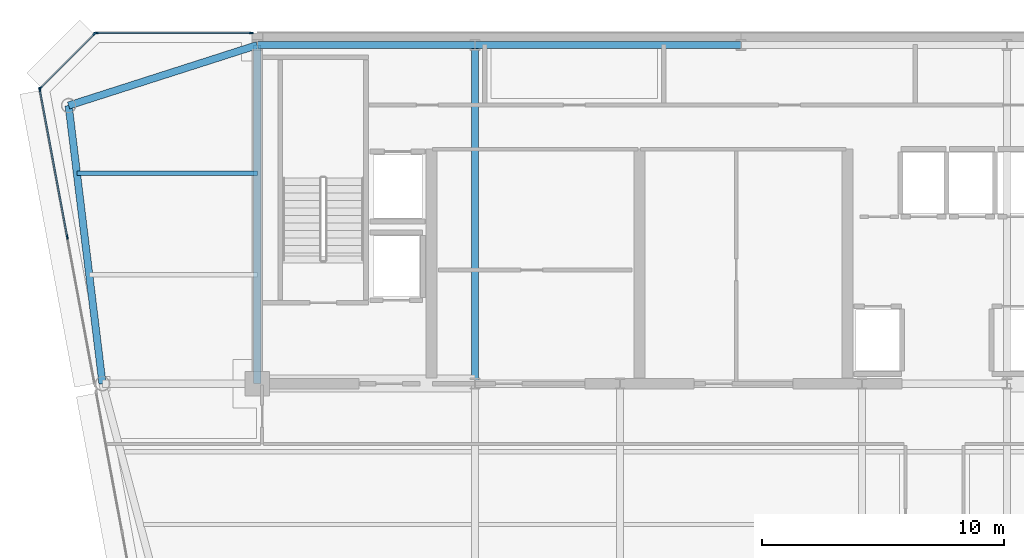
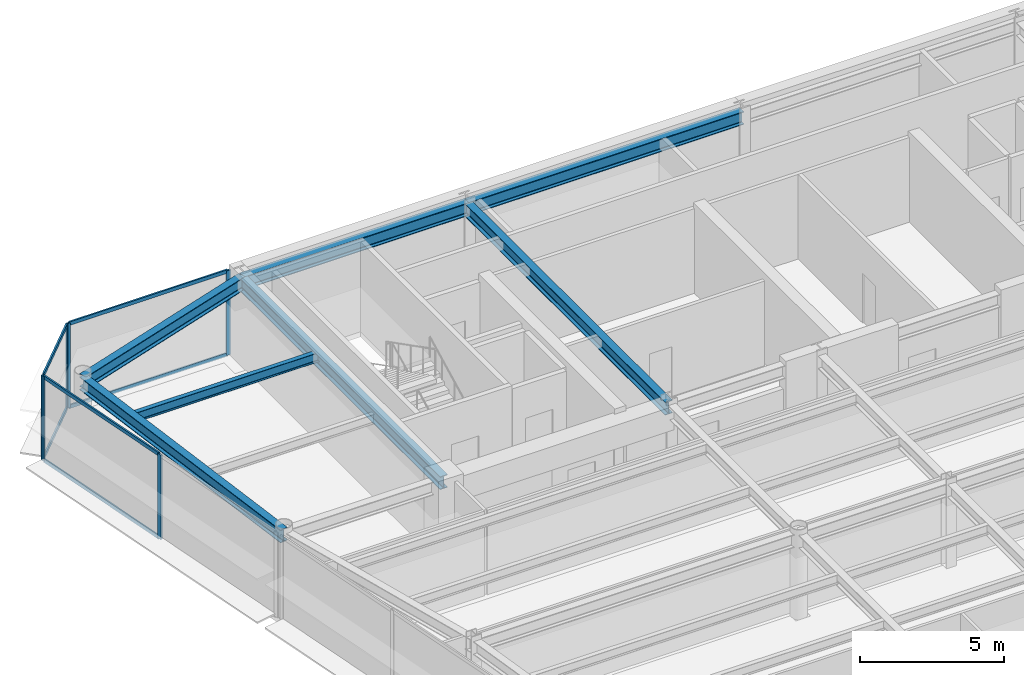
# One storey, part 7 of 18: 12 members, 7 beams, 3 elements without a shape of their own.
"""IFC4 building model written with IfcOpenShell, lengths in metres."""

from ifc_helpers import new_model, si_unit, direction, frame, origin, origin_2d, place, context, subcontext, project, spatial, rectangle, i_section, extrude, source, transform, mapped, material, layer, layer_set, material_profile, profile_set, type_object, element, aggregate, save


model = new_model("IFC4")

# Units and contexts
model_context = context("Model", 3, precision=1e-05, world=origin(), true_north=direction((0.0, 1.0)))
body_context = subcontext(model_context, "Body", "Model", "MODEL_VIEW")
ifc_project = project(units=[si_unit("LENGTHUNIT", "METRE"), si_unit("AREAUNIT", "SQUARE_METRE"), si_unit("VOLUMEUNIT", "CUBIC_METRE"), si_unit("PLANEANGLEUNIT", "RADIAN"), si_unit("MASSUNIT", "GRAM", prefix="KILO")], contexts=[model_context])

# Site, building, storey
site_placement = place(None, origin())
site = spatial("IfcSite", under=ifc_project, at=site_placement, CompositionType="ELEMENT")
building_placement = place(site_placement, origin())
building = spatial("IfcBuilding", under=site, at=building_placement, Name="Vaeldorn Concourse Tower", CompositionType="ELEMENT")
storey_placement = place(building_placement, frame((0.0, 0.0, 253.60009765625)))
storey = spatial("IfcBuildingStorey", under=building, at=storey_placement, Name="L65", CompositionType="ELEMENT", Elevation=253.60009765625)

# Beams
ifc_material_1 = material(Name="Steel S355", Category="steel")
ifc_material_profile_1 = material_profile(ifc_material_1, i_section(OverallWidth=0.179931640625, OverallDepth=0.39990234375, WebThickness=0.008544921875, FlangeThickness=0.013427734375, FilletRadius=0.02099609375, at=origin_2d()), Name="IPE 400")
ifc_profile_set_1 = profile_set([ifc_material_profile_1], Name="Steel S355")
beam_type_1 = type_object("IfcBeamType", Name="BM-JS-IPE400", PredefinedType="JOIST", material=ifc_profile_set_1)
shared_shape_1 = source(origin(), body_context, "Body", "SweptSolid", [
    extrude(i_section(OverallWidth=0.179931640625, OverallDepth=0.39990234375, WebThickness=0.008544921875, FlangeThickness=0.013427734375, FilletRadius=0.02099609375, at=origin_2d()), origin(), (0.0, 0.0, 1.0), 7.458984375),
])
beam_1_placement = place(storey_placement, frame((6.541015625, 45.199951171875, 3.3798828125), z_axis=(1.0, 0.0, 0.0), x_axis=(0.0, 1.0, 0.0)))
element("IfcBeam", 1, at=beam_1_placement, inside=storey, type_object=beam_type_1, Name="Beam JS-L65-NW-452", PredefinedType="JOIST", context=body_context, shape_type="MappedRepresentation", body=[
    mapped(shared_shape_1, transform((0.0, 0.0, 0.0), scale=1.0)),
])
ifc_material_profile_2 = material_profile(ifc_material_1, i_section(OverallWidth=0.300048828125, OverallDepth=0.550048828125, WebThickness=0.014892578125, FlangeThickness=0.029052734375, FilletRadius=0.027099609375, at=origin_2d()), Name="HEB 550")
ifc_profile_set_2 = profile_set([ifc_material_profile_2], Name="Steel S355")
beam_type_2 = type_object("IfcBeamType", Name="BM-PG-HEB550", PredefinedType="BEAM", material=ifc_profile_set_2)
shared_shape_2 = source(origin(), body_context, "Body", "SweptSolid", [
    extrude(i_section(OverallWidth=0.300048828125, OverallDepth=0.550048828125, WebThickness=0.014892578125, FlangeThickness=0.029052734375, FilletRadius=0.027099609375, at=origin_2d()), origin(), (0.0, 0.0, 1.0), 9.0),
])
beam_2_placement = place(storey_placement, frame((14.0, 50.5, 3.304931640625), z_axis=(1.0, 0.0, 0.0), x_axis=(0.0, 1.0, 0.0)))
element("IfcBeam", 2, at=beam_2_placement, inside=storey, type_object=beam_type_2, Name="Beam BM-L65-C-HC1-C-HC2", PredefinedType="BEAM", context=body_context, shape_type="MappedRepresentation", body=[
    mapped(shared_shape_2, transform((0.0, 0.0, 0.0), scale=1.0)),
])
shared_shape_3 = source(origin(), body_context, "Body", "SweptSolid", [
    extrude(i_section(OverallWidth=0.300048828125, OverallDepth=0.550048828125, WebThickness=0.014892578125, FlangeThickness=0.029052734375, FilletRadius=0.027099609375, at=origin_2d()), origin(), (0.0, 0.0, 1.0), 11.0),
])
beam_3_placement = place(storey_placement, frame((23.0, 50.5, 3.304931640625), z_axis=(1.0, 0.0, 0.0), x_axis=(0.0, 1.0, 0.0)))
element("IfcBeam", 3, at=beam_3_placement, inside=storey, type_object=beam_type_2, Name="Beam BM-L65-C-HC2-C-HC3", PredefinedType="BEAM", context=body_context, shape_type="MappedRepresentation", body=[
    mapped(shared_shape_3, transform((0.0, 0.0, 0.0), scale=1.0)),
])
shared_shape_4 = source(origin(), body_context, "Body", "SweptSolid", [
    extrude(i_section(OverallWidth=0.300048828125, OverallDepth=0.550048828125, WebThickness=0.014892578125, FlangeThickness=0.029052734375, FilletRadius=0.027099609375, at=origin_2d()), origin(), (0.0, 0.0, 1.0), 14.0),
])
for number, where, z_axis, x_axis, name in (
    (4, (14.0, 36.5, 3.304931640625), (0.0, 1.0, 0.0), (-1.0, 0.0, 0.0), "Beam BM-L65-C-FC1-C-HC1"),
    (5, (23.0, 36.5, 3.304931640625), (0.0, 1.0, 0.0), (-1.0, 0.0, 0.0), "Beam BM-L65-C-FC2-C-HC2"),
):
    element("IfcBeam", number, at=place(storey_placement, frame(where, z_axis=z_axis, x_axis=x_axis)), inside=storey, type_object=beam_type_2, Name=name, PredefinedType="BEAM", context=body_context, shape_type="MappedRepresentation", body=[
        mapped(shared_shape_4, transform((0.0, 0.0, 0.0), scale=1.0)),
    ])
shared_shape_5 = source(origin(), body_context, "Body", "SweptSolid", [
    extrude(i_section(OverallWidth=0.300048828125, OverallDepth=0.550048828125, WebThickness=0.014892578125, FlangeThickness=0.029052734375, FilletRadius=0.027099609375, at=origin_2d()), origin(), (0.0, 0.0, 1.0), 8.19091796875),
])
beam_4_placement = place(storey_placement, frame((6.199951171875, 48.0, 3.304931640625), z_axis=(0.952282843383, 0.305216949396, 0.0), x_axis=(-0.305216949396, 0.952282843383, 0.0)))
element("IfcBeam", 6, at=beam_4_placement, inside=storey, type_object=beam_type_2, Name="Beam BM-L65-C-NW1-C-HC1", PredefinedType="BEAM", context=body_context, shape_type="MappedRepresentation", body=[
    mapped(shared_shape_5, transform((0.0, 0.0, 0.0), scale=1.0)),
])
shared_shape_6 = source(origin(), body_context, "Body", "SweptSolid", [
    extrude(i_section(OverallWidth=0.300048828125, OverallDepth=0.550048828125, WebThickness=0.014892578125, FlangeThickness=0.029052734375, FilletRadius=0.027099609375, at=origin_2d()), origin(), (0.0, 0.0, 1.0), 11.5849609375),
])
beam_5_placement = place(storey_placement, frame((6.199951171875, 48.0, 3.304931640625), z_axis=(0.120859382899, -0.992669637677, 0.0), x_axis=(0.992669637677, 0.120859382899, 0.0)))
element("IfcBeam", 7, at=beam_5_placement, inside=storey, type_object=beam_type_2, Name="Beam BM-L65-C-NW1-C-NW2", PredefinedType="BEAM", context=body_context, shape_type="MappedRepresentation", body=[
    mapped(shared_shape_6, transform((0.0, 0.0, 0.0), scale=1.0)),
])

# Curtain wall, members
ifc_material_2 = material(Name="Anodised Bronze Aluminium", Category="aluminium")
ifc_layer = layer(ifc_material_2, 0.179931640625)
ifc_layer_set = layer_set([ifc_layer], Name="Anodised Bronze Aluminium")
curtain_wall_type = type_object("IfcCurtainWallType", Name="CW-SYS-05", PredefinedType="NOTDEFINED", material=ifc_layer_set)
curtain_wall_1_placement = place(storey_placement, origin())
curtain_wall_1 = element("IfcCurtainWall", 8, at=curtain_wall_1_placement, inside=storey, type_object=curtain_wall_type, Name="Unitised Curtain Wall CW-L65-E09-2", PredefinedType="NOTDEFINED")
ifc_material_profile_3 = material_profile(ifc_material_2, rectangle(XDim=0.06494140625, YDim=0.169921875, at=origin_2d()), Name="CWM 65x170")
ifc_profile_set_3 = profile_set([ifc_material_profile_3], Name="Anodised Bronze Aluminium")
member_type_1 = type_object("IfcMemberType", Name="CWM-BRONZE-170", PredefinedType="MULLION", material=ifc_profile_set_3)
shared_shape_7 = source(origin(), body_context, "Body", "SweptSolid", [
    extrude(rectangle(XDim=0.06494140625, YDim=0.169921875, at=origin_2d()), origin(), (0.0, 0.0, 1.0), 3.579833984375),
])
member_1_placement = place(storey_placement, frame((13.74755859375, 51.0, 0.0), z_axis=(0.0, 0.0, 1.0), x_axis=(0.0, -1.0, 0.0)))
member_1 = element("IfcMember", 9, at=member_1_placement, type_object=member_type_1, Name="CW-05 mullion 1", PredefinedType="MULLION", context=body_context, shape_type="MappedRepresentation", body=[
    mapped(shared_shape_7, transform((0.0, 0.0, 0.0), scale=1.0)),
])
member_2_placement = place(storey_placement, frame((7.33251953125, 51.0, 0.0), z_axis=(0.0, 0.0, 1.0), x_axis=(0.0, -1.0, 0.0)))
member_2 = element("IfcMember", 10, at=member_2_placement, type_object=member_type_1, Name="CW-05 mullion 2", PredefinedType="MULLION", context=body_context, shape_type="MappedRepresentation", body=[
    mapped(shared_shape_7, transform((0.0, 0.0, 0.0), scale=1.0)),
])

curtain_wall_2_placement = place(storey_placement, origin())
curtain_wall_2 = element("IfcCurtainWall", 11, at=curtain_wall_2_placement, inside=storey, type_object=curtain_wall_type, Name="Unitised Curtain Wall CW-L65-E10-1", PredefinedType="NOTDEFINED")
member_3_placement = place(storey_placement, frame((7.277099609375, 50.97705078125, 0.0), z_axis=(0.0, 0.0, 1.0), x_axis=(0.707106781187, -0.707106781187, 0.0)))
member_3 = element("IfcMember", 12, at=member_3_placement, type_object=member_type_1, Name="CW-05 mullion 1", PredefinedType="MULLION", context=body_context, shape_type="MappedRepresentation", body=[
    mapped(shared_shape_7, transform((0.0, 0.0, 0.0), scale=1.0)),
])
member_4_placement = place(storey_placement, frame((5.02294921875, 48.722900390625, 0.0), z_axis=(0.0, 0.0, 1.0), x_axis=(0.707106781187, -0.707106781187, 0.0)))
member_4 = element("IfcMember", 13, at=member_4_placement, type_object=member_type_1, Name="CW-05 mullion 2", PredefinedType="MULLION", context=body_context, shape_type="MappedRepresentation", body=[
    mapped(shared_shape_7, transform((0.0, 0.0, 0.0), scale=1.0)),
])

curtain_wall_3_placement = place(storey_placement, origin())
curtain_wall_3 = element("IfcCurtainWall", 14, at=curtain_wall_3_placement, inside=storey, type_object=curtain_wall_type, Name="Unitised Curtain Wall CW-L65-E11-1", PredefinedType="NOTDEFINED")
member_5_placement = place(storey_placement, frame((5.005859375, 48.66796875, 0.0), z_axis=(0.0, 0.0, 1.0), x_axis=(0.983102768025, 0.183054493257, 0.0)))
member_5 = element("IfcMember", 15, at=member_5_placement, type_object=member_type_1, Name="CW-05 mullion 1", PredefinedType="MULLION", context=body_context, shape_type="MappedRepresentation", body=[
    mapped(shared_shape_7, transform((0.0, 0.0, 0.0), scale=1.0)),
])
member_6_placement = place(storey_placement, frame((6.142578125, 42.564208984375, 0.0), z_axis=(0.0, 0.0, 1.0), x_axis=(0.983102768025, 0.183054493257, 0.0)))
member_6 = element("IfcMember", 16, at=member_6_placement, type_object=member_type_1, Name="CW-05 mullion 2", PredefinedType="MULLION", context=body_context, shape_type="MappedRepresentation", body=[
    mapped(shared_shape_7, transform((0.0, 0.0, 0.0), scale=1.0)),
])

# Member
ifc_material_profile_4 = material_profile(ifc_material_2, rectangle(XDim=0.06494140625, YDim=0.14990234375, at=origin_2d()), Name="CWT 65x150")
ifc_profile_set_4 = profile_set([ifc_material_profile_4], Name="Anodised Bronze Aluminium")
member_type_2 = type_object("IfcMemberType", Name="CWT-BRONZE-150", PredefinedType="USERDEFINED", material=ifc_profile_set_4)
shared_shape_8 = source(origin(), body_context, "Body", "SweptSolid", [
    extrude(rectangle(XDim=0.06494140625, YDim=0.14990234375, at=origin_2d()), origin(), (0.0, 0.0, 1.0), 3.123046875),
])
member_7_placement = place(storey_placement, frame((7.254150390625, 50.9541015625, 0.032470703125), z_axis=(-0.707106781187, -0.707106781187, 0.0), x_axis=(0.707106781187, -0.707106781187, 0.0)))
member_7 = element("IfcMember", 17, at=member_7_placement, type_object=member_type_2, Name="CW-05 transom 1.1", ObjectType="TRANSOM", PredefinedType="USERDEFINED", context=body_context, shape_type="MappedRepresentation", body=[
    mapped(shared_shape_8, transform((0.0, 0.0, 0.0), scale=1.0)),
])

member_8_placement = place(storey_placement, frame((7.254150390625, 50.9541015625, 3.54736328125), z_axis=(-0.707106781187, -0.707106781187, 0.0), x_axis=(0.707106781187, -0.707106781187, 0.0)))
member_8 = element("IfcMember", 18, at=member_8_placement, type_object=member_type_2, Name="CW-05 transom 1.2", ObjectType="TRANSOM", PredefinedType="USERDEFINED", context=body_context, shape_type="MappedRepresentation", body=[
    mapped(shared_shape_8, transform((0.0, 0.0, 0.0), scale=1.0)),
])

aggregate(curtain_wall_2, [member_3, member_4, member_7, member_8])

shared_shape_9 = source(origin(), body_context, "Body", "SweptSolid", [
    extrude(rectangle(XDim=0.06494140625, YDim=0.14990234375, at=origin_2d()), origin(), (0.0, 0.0, 1.0), 6.1435546875),
])
member_9_placement = place(storey_placement, frame((5.011962890625, 48.635986328125, 0.032470703125), z_axis=(0.183038328644, -0.983105777751, 0.0), x_axis=(0.983105777751, 0.183038328644, 0.0)))
member_9 = element("IfcMember", 19, at=member_9_placement, type_object=member_type_2, Name="CW-05 transom 1.1", ObjectType="TRANSOM", PredefinedType="USERDEFINED", context=body_context, shape_type="MappedRepresentation", body=[
    mapped(shared_shape_9, transform((0.0, 0.0, 0.0), scale=1.0)),
])

member_10_placement = place(storey_placement, frame((5.011962890625, 48.635986328125, 3.54736328125), z_axis=(0.183038328644, -0.983105777751, 0.0), x_axis=(0.983105777751, 0.183038328644, 0.0)))
member_10 = element("IfcMember", 20, at=member_10_placement, type_object=member_type_2, Name="CW-05 transom 1.2", ObjectType="TRANSOM", PredefinedType="USERDEFINED", context=body_context, shape_type="MappedRepresentation", body=[
    mapped(shared_shape_9, transform((0.0, 0.0, 0.0), scale=1.0)),
])

aggregate(curtain_wall_3, [member_5, member_6, member_9, member_10])

shared_shape_10 = source(origin(), body_context, "Body", "SweptSolid", [
    extrude(rectangle(XDim=0.06494140625, YDim=0.14990234375, at=origin_2d()), origin(), (0.0, 0.0, 1.0), 6.35009765625),
])
member_11_placement = place(storey_placement, frame((13.715087890625, 51.0, 0.032470703125), z_axis=(-1.0, 0.0, 0.0), x_axis=(0.0, -1.0, 0.0)))
member_11 = element("IfcMember", 21, at=member_11_placement, type_object=member_type_2, Name="CW-05 transom 1.1", ObjectType="TRANSOM", PredefinedType="USERDEFINED", context=body_context, shape_type="MappedRepresentation", body=[
    mapped(shared_shape_10, transform((0.0, 0.0, 0.0), scale=1.0)),
])

member_12_placement = place(storey_placement, frame((13.715087890625, 51.0, 3.54736328125), z_axis=(-1.0, 0.0, 0.0), x_axis=(0.0, -1.0, 0.0)))
member_12 = element("IfcMember", 22, at=member_12_placement, type_object=member_type_2, Name="CW-05 transom 1.2", ObjectType="TRANSOM", PredefinedType="USERDEFINED", context=body_context, shape_type="MappedRepresentation", body=[
    mapped(shared_shape_10, transform((0.0, 0.0, 0.0), scale=1.0)),
])

aggregate(curtain_wall_1, [member_1, member_2, member_11, member_12])

save(model, "model.ifc")
